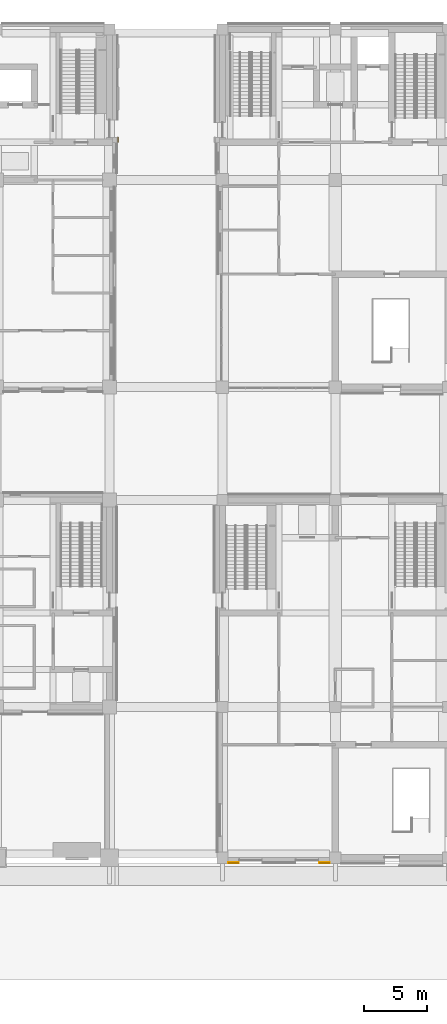
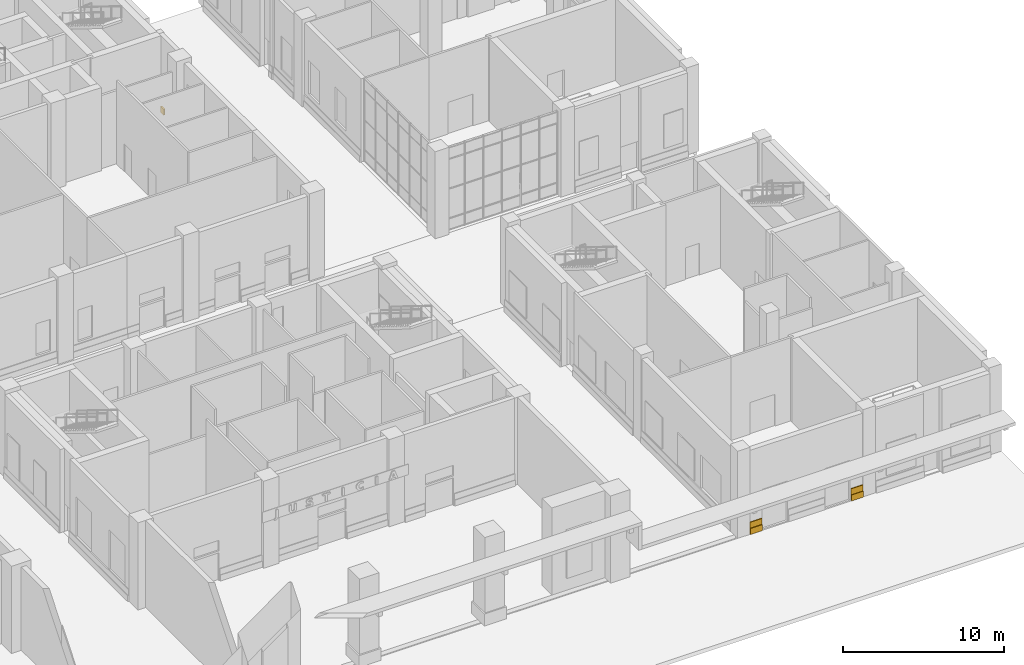
# One storey, part 33 of 35: 5 coverings.
"""IFC4 building model written with IfcOpenShell, lengths in metres."""

from ifc_helpers import new_model, si_unit, direction, frame, origin, origin_2d, place, context, subcontext, project, spatial, rectangle, extrude, material, type_object, element, save


model = new_model("IFC4")

# Units and contexts
model_context = context("Model", 3, precision=1e-05, world=origin(), true_north=direction((0.0, 1.0)))
body_context = subcontext(model_context, "Body", "Model", "MODEL_VIEW")
ifc_project = project(units=[si_unit("LENGTHUNIT", "METRE"), si_unit("AREAUNIT", "SQUARE_METRE"), si_unit("VOLUMEUNIT", "CUBIC_METRE"), si_unit("PLANEANGLEUNIT", "RADIAN"), si_unit("MASSUNIT", "GRAM", prefix="KILO")], contexts=[model_context])

# Site, building, storey
site_placement = place(None, origin())
site = spatial("IfcSite", under=ifc_project, at=site_placement, CompositionType="ELEMENT")
building_placement = place(site_placement, origin())
building = spatial("IfcBuilding", under=site, at=building_placement, Name="Aurelan Courthouse", CompositionType="ELEMENT")
storey_placement = place(building_placement, origin())
storey = spatial("IfcBuildingStorey", under=building, at=storey_placement, Name="L00", CompositionType="ELEMENT", Elevation=0.0)

# Coverings
ifc_material = material(Name="Granite cladding", Category="masonry")
covering_type_1 = type_object("IfcCoveringType", Name="Courtroom Block rusticated plinth course 450 x 100", PredefinedType="CLADDING", material=ifc_material)
covering_placement = place(storey_placement, frame((63.64990234375, 57.199951171875, 0.0), z_axis=(0.0, 0.0, 1.0), x_axis=(1.0, 0.0, 0.0)))
element("IfcCovering", 1, at=covering_placement, inside=storey, type_object=covering_type_1, Name="Plinth course PLC-V2-031", PredefinedType="CLADDING", context=body_context, shape_type="SweptSolid", body=[
    extrude(rectangle(XDim=0.10009765625, YDim=0.39990234375, at=origin_2d()), origin(), (0.0, 0.0, 1.0), 0.449951171875),
])
covering_type_2 = type_object("IfcCoveringType", Name="Public Hall and Registry rusticated plinth course 450 x 100", PredefinedType="CLADDING", material=ifc_material)
for number, where, z_axis, x_axis, name in (
    (2, (72.875, -0.429931640625, 0.0), (0.0, 0.0, 1.0), (1.0, 0.0, 0.0), "Plinth course PLC-V4-005"),
    (3, (80.125, -0.429931640625, 0.0), (0.0, 0.0, 1.0), (1.0, 0.0, 0.0), "Plinth course PLC-V4-007"),
):
    element("IfcCovering", number, at=place(storey_placement, frame(where, z_axis=z_axis, x_axis=x_axis)), inside=storey, type_object=covering_type_2, Name=name, PredefinedType="CLADDING", context=body_context, shape_type="SweptSolid", body=[
        extrude(rectangle(XDim=0.85009765625, YDim=0.10009765625, at=origin_2d()), origin(), (0.0, 0.0, 1.0), 0.449951171875),
    ])
for number, where, z_axis, x_axis, name in (
    (4, (72.875, -0.409912109375, 0.4501953125), (0.0, 0.0, 1.0), (1.0, 0.0, 0.0), "Plinth course PLC-V4-008"),
    (5, (80.125, -0.409912109375, 0.4501953125), (0.0, 0.0, 1.0), (1.0, 0.0, 0.0), "Plinth course PLC-V4-010"),
):
    element("IfcCovering", number, at=place(storey_placement, frame(where, z_axis=z_axis, x_axis=x_axis)), inside=storey, type_object=covering_type_2, Name=name, PredefinedType="CLADDING", context=body_context, shape_type="SweptSolid", body=[
        extrude(rectangle(XDim=0.85009765625, YDim=0.06005859375, at=origin_2d()), origin(), (0.0, 0.0, 1.0), 0.449951171875),
    ])

save(model, "model.ifc")
